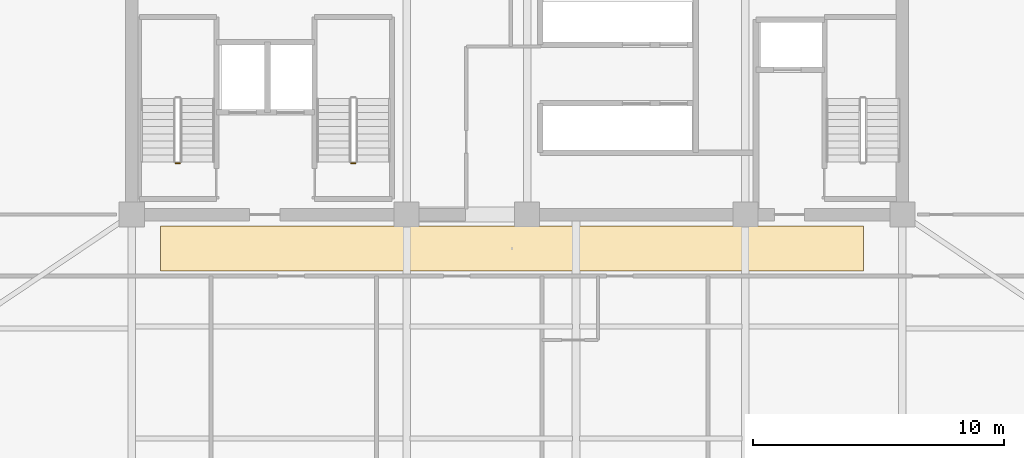
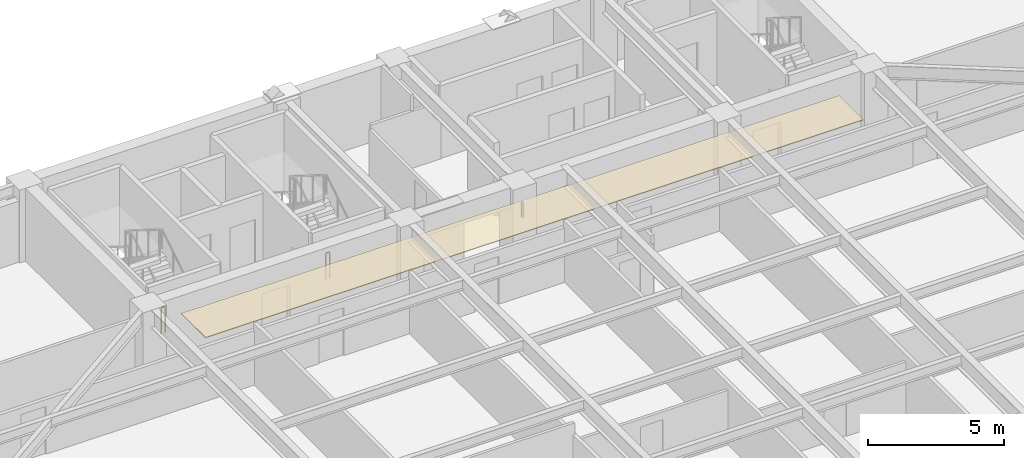
# One storey, part 14 of 17: 2 railings, 1 covering.
"""IFC4 building model written with IfcOpenShell, lengths in metres."""

from ifc_helpers import new_model, si_unit, direction, frame, origin, origin_2d, place, context, subcontext, project, spatial, polyline, rectangle, outline, extrude, material, layer, layer_set, type_object, element, save


model = new_model("IFC4")

# Units and contexts
model_context = context("Model", 3, precision=1e-05, world=origin(), true_north=direction((0.0, 1.0)))
body_context = subcontext(model_context, "Body", "Model", "MODEL_VIEW")
ifc_project = project(units=[si_unit("LENGTHUNIT", "METRE"), si_unit("AREAUNIT", "SQUARE_METRE"), si_unit("VOLUMEUNIT", "CUBIC_METRE"), si_unit("PLANEANGLEUNIT", "RADIAN"), si_unit("MASSUNIT", "GRAM", prefix="KILO")], contexts=[model_context])

# Site, building, storey
site_placement = place(None, origin())
site = spatial("IfcSite", under=ifc_project, at=site_placement, CompositionType="ELEMENT")
building_placement = place(site_placement, origin())
building = spatial("IfcBuilding", under=site, at=building_placement, Name="Giltprow Tower", CompositionType="ELEMENT")
storey_placement = place(building_placement, frame((0.0, 0.0, 195.699951171875)))
storey = spatial("IfcBuildingStorey", under=building, at=storey_placement, Name="L49", CompositionType="ELEMENT", Elevation=195.699951171875)

# Covering
ifc_material_1 = material(Name="Painted gypsum board", Category="gypsum")
ifc_layer = layer(ifc_material_1, 0.030029296875, Name="Painted gypsum board")
ifc_layer_set = layer_set([ifc_layer], Name="Painted gypsum board")
covering_type = type_object("IfcCoveringType", Name="COV-CLG-GYPSUM", PredefinedType="CEILING", material=ifc_layer_set)
covering_placement = place(storey_placement, frame((0.0, 0.0, 2.6201171875)))
element("IfcCovering", 1, at=covering_placement, inside=storey, type_object=covering_type, Name="L49 Hotel Corridor Gypsum Ceiling", PredefinedType="CEILING", context=body_context, shape_type="SweptSolid", body=[
    extrude(outline(polyline([(21.0, 35.199951171875), (49.0, 35.199951171875), (49.0, 37.0), (21.0, 37.0), (21.0, 35.199951171875)])), origin(), (0.0, 0.0, 1.0), 0.030029296875),
])

# Railings
ifc_material_2 = material(Name="Anodized bronze", Category="metal")
railing_type = type_object("IfcRailingType", Name="RAIL-STAIR-GUARD-1200", PredefinedType="GUARDRAIL", material=ifc_material_2)
for number, where, name in (
    (2, (21.760009765625, 39.5, 0.0), "L49 ST-1 stair guard 4"),
    (3, (28.760009765625, 39.5, 0.0), "L49 ST-2 stair guard 4"),
):
    element("IfcRailing", number, at=place(storey_placement, frame(where)), inside=storey, type_object=railing_type, Name=name, PredefinedType="GUARDRAIL", context=body_context, shape_type="SweptSolid", body=[
        extrude(rectangle(XDim=0.048095703125, YDim=0.048095703125, at=origin_2d()), frame((0.0, 0.0, 1.17578125), z_axis=(-1.0, 0.0, 0.0), x_axis=(0.0, -1.0, 0.0)), (0.0, 0.0, 1.0), 0.159912109375),
        extrude(rectangle(XDim=0.0419921875, YDim=0.0419921875, at=origin_2d()), origin(), (0.0, 0.0, 1.0), 1.15185546875),
        extrude(rectangle(XDim=0.0419921875, YDim=0.0419921875, at=origin_2d()), frame((-0.159912109375, 0.0, 0.0)), (0.0, 0.0, 1.0), 1.15185546875),
    ])

save(model, "model.ifc")
